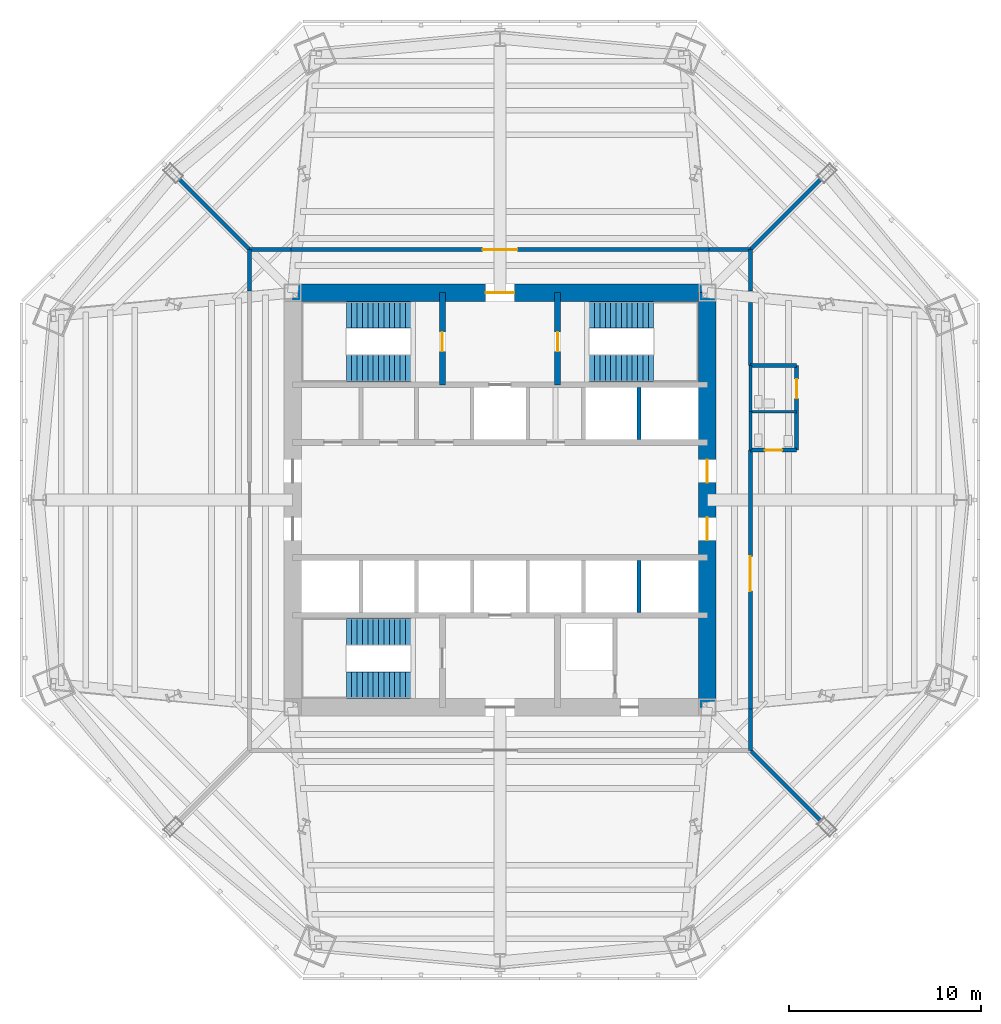
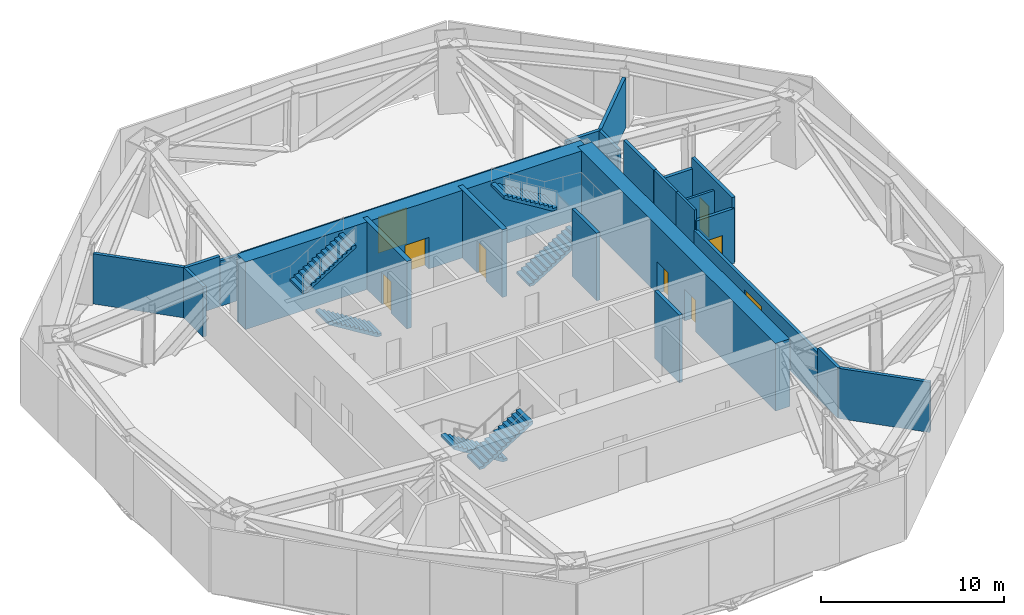
# One storey, part 6 of 10: 23 walls, 9 doors, 6 stair flights, 9 openings, 3 elements without a shape of their own.
"""IFC4 building model written with IfcOpenShell, lengths in metres."""

from ifc_helpers import new_model, si_unit, direction, frame, frame_2d, origin, place, context, subcontext, project, spatial, polyline, rectangle, outline, extrude, material, layer, layer_set, type_object, element, fill, aggregate, save


model = new_model("IFC4")

# Units and contexts
model_context = context("Model", 3, precision=1e-05, world=origin(), true_north=direction((0.0, 1.0)))
body_context = subcontext(model_context, "Body", "Model", "MODEL_VIEW")
ifc_project = project(units=[si_unit("LENGTHUNIT", "METRE"), si_unit("AREAUNIT", "SQUARE_METRE"), si_unit("VOLUMEUNIT", "CUBIC_METRE"), si_unit("PLANEANGLEUNIT", "RADIAN"), si_unit("MASSUNIT", "GRAM", prefix="KILO")], contexts=[model_context])

# Site, building, storey
site_placement = place(None, origin())
site = spatial("IfcSite", under=ifc_project, at=site_placement, CompositionType="ELEMENT")
building_placement = place(site_placement, origin())
building = spatial("IfcBuilding", under=site, at=building_placement, Name="Mashrafa Tower", CompositionType="ELEMENT")
storey_placement = place(building_placement, frame((0.0, 0.0, 108.89990234375)))
storey = spatial("IfcBuildingStorey", under=building, at=storey_placement, Name="L24", CompositionType="ELEMENT", Elevation=108.89990234375)

# Wall
ifc_material_1 = material(Name="Concrete masonry unit", Category="masonry")
ifc_layer_1 = layer(ifc_material_1, 0.199951171875)
ifc_layer_set_1 = layer_set([ifc_layer_1], Name="Blockwork wall 200 2 hr")
wall_type_1 = type_object("IfcWallType", Name="Blockwork wall 200 2 hr", PredefinedType="PARTITIONING", material=ifc_layer_set_1)
wall_1_placement = place(storey_placement, frame((13.050048828125, -13.050048828125, 0.0), z_axis=(0.0, 0.0, 1.0), x_axis=(0.0, 1.0, 0.0)))
element("IfcWall", 1, at=wall_1_placement, inside=storey, type_object=wall_type_1, Name="Blockwork wall L24-003", PredefinedType="PARTITIONING", context=body_context, shape_type="SweptSolid", body=[
    extrude(rectangle(XDim=2.15283203125, YDim=0.199951171875, at=frame_2d((1.076416015625, 0.0))), origin(), (0.0, 0.0, 1.0), 3.342041015625),
])

# Wall, opening, door
wall_2_placement = place(storey_placement, frame((13.050048828125, -10.895263671875, 0.0), z_axis=(0.0, 0.0, 1.0), x_axis=(0.0, 1.0, 0.0)))
wall_2 = element("IfcWall", 2, at=wall_2_placement, inside=storey, type_object=wall_type_1, Name="Blockwork wall L24-004", PredefinedType="PARTITIONING", context=body_context, shape_type="SweptSolid", body=[
    extrude(rectangle(XDim=13.496337890625, YDim=0.199951171875, at=frame_2d((6.748046875, 0.0))), origin(), (0.0, 0.0, 1.0), 3.025146484375),
])
opening_1_placement = place(wall_2_placement, frame((6.1533203125, 0.0, 0.0)))
opening_1 = element("IfcOpeningElement", 3, at=opening_1_placement, cuts=wall_2, Name="Opening 24.003", PredefinedType="OPENING", context=body_context, shape_type="SweptSolid", body=[
    extrude(rectangle(XDim=1.800048828125, YDim=2.39990234375, at=frame_2d((0.89990234375, 1.199951171875))), frame((0.0, 0.10986328125, 0.0), z_axis=(0.0, -1.0, 0.0), x_axis=(1.0, 0.0, 0.0)), (0.0, 0.0, 1.0), 0.219970703125),
])
ifc_material_2 = material(Name="Steel door", Category="steel")
door_type_1 = type_object("IfcDoorType", Name="Door pair 1800 x 2400 90 min", OperationType="DOUBLE_DOOR_SINGLE_SWING", PredefinedType="DOOR", material=ifc_material_2)
door_1_placement = place(opening_1_placement, origin())
door_1 = element("IfcDoor", 4, at=door_1_placement, inside=storey, type_object=door_type_1, Name="Refuge Area L24 East door", OperationType="DOUBLE_DOOR_SINGLE_SWING", OverallHeight=2.39990234375, OverallWidth=1.800048828125, PredefinedType="DOOR", context=body_context, shape_type="SweptSolid", body=[
    extrude(rectangle(XDim=1.800048828125, YDim=2.39990234375, at=frame_2d((0.89990234375, 1.199951171875))), frame((0.0, 0.02490234375, 0.0), z_axis=(0.0, -1.0, 0.0), x_axis=(1.0, 0.0, 0.0)), (0.0, 0.0, 1.0), 0.050048828125),
])
fill(opening_1, door_1)

# Walls
wall_3_placement = place(storey_placement, frame((13.050048828125, 6.9990234375, 0.0), z_axis=(0.0, 0.0, 1.0), x_axis=(0.0, 1.0, 0.0)))
element("IfcWall", 5, at=wall_3_placement, inside=storey, type_object=wall_type_1, Name="Blockwork wall L24-005", PredefinedType="PARTITIONING", context=body_context, shape_type="SweptSolid", body=[
    extrude(rectangle(XDim=3.28564453125, YDim=0.199951171875, at=frame_2d((1.642822265625, 0.0))), origin(), (0.0, 0.0, 1.0), 4.335205078125),
])
for number, where, z_axis, x_axis, name in (
    (6, (13.050048828125, 10.897216796875, 0.0), (0.0, 0.0, 1.0), (0.0, 1.0, 0.0), "Blockwork wall L24-006"),
    (7, (-13.050048828125, 13.050048828125, 0.0), (0.0, 0.0, 1.0), (0.0, -1.0, 0.0), "Blockwork wall L24-007"),
    (8, (13.050048828125, 13.050048828125, 0.0), (0.0, 0.0, 1.0), (-1.0, 0.0, 0.0), "Blockwork wall L24-010"),
):
    element("IfcWall", number, at=place(storey_placement, frame(where, z_axis=z_axis, x_axis=x_axis)), inside=storey, type_object=wall_type_1, Name=name, PredefinedType="PARTITIONING", context=body_context, shape_type="SweptSolid", body=[
        extrude(rectangle(XDim=2.15283203125, YDim=0.199951171875, at=frame_2d((1.076416015625, 0.0))), origin(), (0.0, 0.0, 1.0), 3.342041015625),
    ])

# Wall, opening, door
wall_4_placement = place(storey_placement, frame((10.895263671875, 13.050048828125, 0.0), z_axis=(0.0, 0.0, 1.0), x_axis=(-1.0, 0.0, 0.0)))
wall_4 = element("IfcWall", 9, at=wall_4_placement, inside=storey, type_object=wall_type_1, Name="Blockwork wall L24-011", PredefinedType="PARTITIONING", context=body_context, shape_type="SweptSolid", body=[
    extrude(rectangle(XDim=21.79052734375, YDim=0.199951171875, at=frame_2d((10.895263671875, 0.0))), origin(), (0.0, 0.0, 1.0), 3.025146484375),
])
opening_2_placement = place(wall_4_placement, frame((9.995361328125, 0.0, 0.0)))
opening_2 = element("IfcOpeningElement", 10, at=opening_2_placement, cuts=wall_4, Name="Opening 24.005", PredefinedType="OPENING", context=body_context, shape_type="SweptSolid", body=[
    extrude(rectangle(XDim=1.800048828125, YDim=2.39990234375, at=frame_2d((0.89990234375, 1.199951171875))), frame((0.0, 0.10986328125, 0.0), z_axis=(0.0, -1.0, 0.0), x_axis=(1.0, 0.0, 0.0)), (0.0, 0.0, 1.0), 0.219970703125),
])
door_2_placement = place(opening_2_placement, frame((1.800048828125, 0.0, 0.0), z_axis=(0.0, 0.0, 1.0), x_axis=(-1.0, 0.0, 0.0)))
door_2 = element("IfcDoor", 11, at=door_2_placement, inside=storey, type_object=door_type_1, Name="Electrical Plant Room L24 door", OperationType="DOUBLE_DOOR_SINGLE_SWING", OverallHeight=2.39990234375, OverallWidth=1.800048828125, PredefinedType="DOOR", context=body_context, shape_type="SweptSolid", body=[
    extrude(rectangle(XDim=1.800048828125, YDim=2.39990234375, at=frame_2d((0.89990234375, 1.199951171875))), frame((0.0, 0.02490234375, 0.0), z_axis=(0.0, -1.0, 0.0), x_axis=(1.0, 0.0, 0.0)), (0.0, 0.0, 1.0), 0.050048828125),
])
fill(opening_2, door_2)

# Wall
wall_5_placement = place(storey_placement, frame((-10.897216796875, 13.050048828125, 0.0), z_axis=(0.0, 0.0, 1.0), x_axis=(-1.0, 0.0, 0.0)))
element("IfcWall", 12, at=wall_5_placement, inside=storey, type_object=wall_type_1, Name="Blockwork wall L24-012", PredefinedType="PARTITIONING", context=body_context, shape_type="SweptSolid", body=[
    extrude(rectangle(XDim=2.15283203125, YDim=0.199951171875, at=frame_2d((1.076416015625, 0.0))), origin(), (0.0, 0.0, 1.0), 3.342041015625),
])

# Wall, opening, door
wall_6_placement = place(storey_placement, frame((13.050048828125, 2.60009765625, 0.0), z_axis=(0.0, 0.0, 1.0), x_axis=(1.0, 0.0, 0.0)))
wall_6 = element("IfcWall", 13, at=wall_6_placement, inside=storey, type_object=wall_type_1, Name="Blockwork wall L24-017", PredefinedType="PARTITIONING", context=body_context, shape_type="SweptSolid", body=[
    extrude(rectangle(XDim=2.39990234375, YDim=0.199951171875, at=frame_2d((1.199951171875, 0.0))), origin(), (0.0, 0.0, 1.0), 3.641845703125),
])
opening_3_placement = place(wall_6_placement, frame((0.75, 0.0, 0.0)))
opening_3 = element("IfcOpeningElement", 14, at=opening_3_placement, cuts=wall_6, Name="Opening 24.001", PredefinedType="OPENING", context=body_context, shape_type="SweptSolid", body=[
    extrude(rectangle(XDim=0.89990234375, YDim=2.10009765625, at=frame_2d((0.449951171875, 1.050048828125))), frame((0.0, 0.10986328125, 0.0), z_axis=(0.0, -1.0, 0.0), x_axis=(1.0, 0.0, 0.0)), (0.0, 0.0, 1.0), 0.219970703125),
])
ifc_material_3 = material(Name="Timber door", Category="wood")
door_type_2 = type_object("IfcDoorType", Name="Toilet door 900 x 2100", OperationType="USERDEFINED", PredefinedType="DOOR", material=ifc_material_3)
door_3_placement = place(opening_3_placement, origin())
door_3 = element("IfcDoor", 15, at=door_3_placement, inside=storey, type_object=door_type_2, Name="Refuge WC L24 door", OperationType="SINGLE_SWING_RIGHT", OverallHeight=2.10009765625, OverallWidth=0.89990234375, PredefinedType="DOOR", context=body_context, shape_type="SweptSolid", body=[
    extrude(rectangle(XDim=0.89990234375, YDim=2.10009765625, at=frame_2d((0.449951171875, 1.050048828125))), frame((0.0, 0.02490234375, 0.0), z_axis=(0.0, -1.0, 0.0), x_axis=(1.0, 0.0, 0.0)), (0.0, 0.0, 1.0), 0.050048828125),
])
fill(opening_3, door_3)

wall_7_placement = place(storey_placement, frame((15.449951171875, 2.60009765625, 0.0), z_axis=(0.0, 0.0, 1.0), x_axis=(0.0, 1.0, 0.0)))
wall_7 = element("IfcWall", 16, at=wall_7_placement, inside=storey, type_object=wall_type_1, Name="Blockwork wall L24-018", PredefinedType="PARTITIONING", context=body_context, shape_type="SweptSolid", body=[
    extrude(rectangle(XDim=4.39990234375, YDim=0.199951171875, at=frame_2d((2.199951171875, 0.0))), origin(), (0.0, 0.0, 1.0), 4.335205078125),
])
opening_4_placement = place(wall_7_placement, frame((2.699951171875, 0.0, 0.0)))
opening_4 = element("IfcOpeningElement", 17, at=opening_4_placement, cuts=wall_7, Name="Opening 24.002", PredefinedType="OPENING", context=body_context, shape_type="SweptSolid", body=[
    extrude(rectangle(XDim=1.0, YDim=2.10009765625, at=frame_2d((0.5, 1.050048828125))), frame((0.0, 0.10986328125, 0.0), z_axis=(0.0, -1.0, 0.0), x_axis=(1.0, 0.0, 0.0)), (0.0, 0.0, 1.0), 0.219970703125),
])
ifc_material_4 = material(Name="Timber door", Category="wood")
door_type_3 = type_object("IfcDoorType", Name="Accessible toilet door 1000 x 2100", OperationType="USERDEFINED", PredefinedType="DOOR", material=ifc_material_4)
door_4_placement = place(opening_4_placement, origin())
door_4 = element("IfcDoor", 18, at=door_4_placement, inside=storey, type_object=door_type_3, Name="Refuge Accessible WC L24 door", OperationType="SINGLE_SWING_LEFT", OverallHeight=2.10009765625, OverallWidth=1.0, PredefinedType="DOOR", context=body_context, shape_type="SweptSolid", body=[
    extrude(rectangle(XDim=1.0, YDim=2.10009765625, at=frame_2d((0.5, 1.050048828125))), frame((0.0, 0.02490234375, 0.0), z_axis=(0.0, -1.0, 0.0), x_axis=(1.0, 0.0, 0.0)), (0.0, 0.0, 1.0), 0.050048828125),
])
fill(opening_4, door_4)

# Walls
wall_8_placement = place(storey_placement, frame((15.449951171875, 7.0, 0.0), z_axis=(0.0, 0.0, 1.0), x_axis=(-1.0, 0.0, 0.0)))
element("IfcWall", 19, at=wall_8_placement, inside=storey, type_object=wall_type_1, Name="Blockwork wall L24-020", PredefinedType="PARTITIONING", context=body_context, shape_type="SweptSolid", body=[
    extrude(rectangle(XDim=2.39990234375, YDim=0.199951171875, at=frame_2d((1.199951171875, 0.0))), origin(), (0.0, 0.0, 1.0), 3.641845703125),
])
for number, where, z_axis, x_axis, name in (
    (20, (16.69140625, 16.69140625, 0.0), (0.0, 0.0, 1.0), (-0.707106781187, -0.707106781187, 0.0), "Blockwork wall L24-021"),
    (21, (13.050048828125, -13.050048828125, 0.0), (0.0, 0.0, 1.0), (0.707106781187, -0.707106781187, 0.0), "Blockwork wall L24-022"),
    (22, (-13.050048828125, 13.050048828125, 0.0), (0.0, 0.0, 1.0), (-0.707106781187, 0.707106781187, 0.0), "Blockwork wall L24-023"),
):
    element("IfcWall", number, at=place(storey_placement, frame(where, z_axis=z_axis, x_axis=x_axis)), inside=storey, type_object=wall_type_1, Name=name, PredefinedType="PARTITIONING", context=body_context, shape_type="SweptSolid", body=[
        extrude(rectangle(XDim=5.149658203125, YDim=0.199951171875, at=frame_2d((2.57470703125, 0.0))), origin(), (0.0, 0.0, 1.0), 3.342041015625),
    ])

# Wall, opening, door
ifc_material_5 = material(Name="Concrete C60/75", Category="concrete")
ifc_layer_2 = layer(ifc_material_5, 0.300048828125)
ifc_layer_set_2 = layer_set([ifc_layer_2], Name="Core wall 300 C60/75")
wall_type_2 = type_object("IfcWallType", Name="Core wall 300 C60/75", PredefinedType="SOLIDWALL", material=ifc_layer_set_2)
wall_9_placement = place(storey_placement, frame((-3.0, 6.0, 0.0), z_axis=(0.0, 0.0, 1.0), x_axis=(0.0, 1.0, 0.0)))
wall_9 = element("IfcWall", 23, at=wall_9_placement, inside=storey, type_object=wall_type_2, Name="Core wall CX-NW L24", PredefinedType="SOLIDWALL", context=body_context, shape_type="SweptSolid", body=[
    extrude(rectangle(XDim=4.800048828125, YDim=0.300048828125, at=frame_2d((2.39990234375, 0.0))), origin(), (0.0, 0.0, 1.0), 4.5),
])
opening_5_placement = place(wall_9_placement, frame((1.75, 0.0, 0.0)))
opening_5 = element("IfcOpeningElement", 24, at=opening_5_placement, cuts=wall_9, Name="Opening 24.013", PredefinedType="OPENING", context=body_context, shape_type="SweptSolid", body=[
    extrude(rectangle(XDim=1.0, YDim=2.10009765625, at=frame_2d((0.5, 1.050048828125))), frame((0.0, 0.159912109375, 0.0), z_axis=(0.0, -1.0, 0.0), x_axis=(1.0, 0.0, 0.0)), (0.0, 0.0, 1.0), 0.320068359375),
])
ifc_material_6 = material(Name="Steel door", Category="steel")
door_type_4 = type_object("IfcDoorType", Name="Stair door 1000 x 2100 90 min", OperationType="USERDEFINED", PredefinedType="DOOR", material=ifc_material_6)
door_5_placement = place(opening_5_placement, origin())
door_5 = element("IfcDoor", 25, at=door_5_placement, inside=storey, type_object=door_type_4, Name="Stair S1 door L24", OperationType="SINGLE_SWING_LEFT", OverallHeight=2.10009765625, OverallWidth=1.0, PredefinedType="DOOR", context=body_context, shape_type="SweptSolid", body=[
    extrude(rectangle(XDim=1.0, YDim=2.10009765625, at=frame_2d((0.5, 1.050048828125))), frame((0.0, 0.02490234375, 0.0), z_axis=(0.0, -1.0, 0.0), x_axis=(1.0, 0.0, 0.0)), (0.0, 0.0, 1.0), 0.050048828125),
])
fill(opening_5, door_5)

wall_10_placement = place(storey_placement, frame((3.0, 6.0, 0.0), z_axis=(0.0, 0.0, 1.0), x_axis=(0.0, 1.0, 0.0)))
wall_10 = element("IfcWall", 26, at=wall_10_placement, inside=storey, type_object=wall_type_2, Name="Core wall CX-NE L24", PredefinedType="SOLIDWALL", context=body_context, shape_type="SweptSolid", body=[
    extrude(rectangle(XDim=4.800048828125, YDim=0.300048828125, at=frame_2d((2.39990234375, 0.0))), origin(), (0.0, 0.0, 1.0), 4.5),
])
opening_6_placement = place(wall_10_placement, frame((1.75, 0.0, 0.0)))
opening_6 = element("IfcOpeningElement", 27, at=opening_6_placement, cuts=wall_10, Name="Opening 24.014", PredefinedType="OPENING", context=body_context, shape_type="SweptSolid", body=[
    extrude(rectangle(XDim=1.0, YDim=2.10009765625, at=frame_2d((0.5, 1.050048828125))), frame((0.0, 0.159912109375, 0.0), z_axis=(0.0, -1.0, 0.0), x_axis=(1.0, 0.0, 0.0)), (0.0, 0.0, 1.0), 0.320068359375),
])
door_6_placement = place(opening_6_placement, frame((1.0, 0.0, 0.0), z_axis=(0.0, 0.0, 1.0), x_axis=(-1.0, 0.0, 0.0)))
door_6 = element("IfcDoor", 28, at=door_6_placement, inside=storey, type_object=door_type_4, Name="Stair S2 door L24", OperationType="SINGLE_SWING_RIGHT", OverallHeight=2.10009765625, OverallWidth=1.0, PredefinedType="DOOR", context=body_context, shape_type="SweptSolid", body=[
    extrude(rectangle(XDim=1.0, YDim=2.10009765625, at=frame_2d((0.5, 1.050048828125))), frame((0.0, 0.02490234375, 0.0), z_axis=(0.0, -1.0, 0.0), x_axis=(1.0, 0.0, 0.0)), (0.0, 0.0, 1.0), 0.050048828125),
])
fill(opening_6, door_6)

# Wall, openings, doors
ifc_material_7 = material(Name="Concrete C60/75", Category="concrete")
ifc_layer_3 = layer(ifc_material_7, 0.89990234375)
ifc_layer_set_3 = layer_set([ifc_layer_3], Name="Core wall 900 C60/75")
wall_type_3 = type_object("IfcWallType", Name="Core wall 900 C60/75", PredefinedType="SOLIDWALL", material=ifc_layer_set_3)
wall_11_placement = place(storey_placement, frame((10.800048828125, -10.800048828125, 0.0), z_axis=(0.0, 0.0, 1.0), x_axis=(0.0, 1.0, 0.0)))
wall_11 = element("IfcWall", 29, at=wall_11_placement, inside=storey, type_object=wall_type_3, Name="Core wall CW-E L24", PredefinedType="SOLIDWALL", context=body_context, shape_type="SweptSolid", body=[
    extrude(rectangle(XDim=21.60009765625, YDim=0.89990234375, at=frame_2d((10.800048828125, 0.0))), origin(), (0.0, 0.0, 1.0), 4.5),
])
opening_7_placement = place(wall_11_placement, frame((11.699951171875, 0.0, 0.0)))
opening_7 = element("IfcOpeningElement", 30, at=opening_7_placement, cuts=wall_11, Name="Opening 24.007", PredefinedType="OPENING", context=body_context, shape_type="SweptSolid", body=[
    extrude(rectangle(XDim=1.199951171875, YDim=2.10009765625, at=frame_2d((0.60009765625, 1.050048828125))), frame((0.0, 0.4599609375, 0.0), z_axis=(0.0, -1.0, 0.0), x_axis=(1.0, 0.0, 0.0)), (0.0, 0.0, 1.0), 0.919921875),
])
opening_8_placement = place(wall_11_placement, frame((8.699951171875, 0.0, 0.0)))
opening_8 = element("IfcOpeningElement", 31, at=opening_8_placement, cuts=wall_11, Name="Opening 24.009", PredefinedType="OPENING", context=body_context, shape_type="SweptSolid", body=[
    extrude(rectangle(XDim=1.199951171875, YDim=2.10009765625, at=frame_2d((0.60009765625, 1.050048828125))), frame((0.0, 0.4599609375, 0.0), z_axis=(0.0, -1.0, 0.0), x_axis=(1.0, 0.0, 0.0)), (0.0, 0.0, 1.0), 0.919921875),
])
ifc_material_8 = material(Name="Steel door", Category="steel")
door_type_5 = type_object("IfcDoorType", Name="Lift hall door 1200 x 2100 90 min", OperationType="USERDEFINED", PredefinedType="DOOR", material=ifc_material_8)
door_7_placement = place(opening_7_placement, frame((1.199951171875, 0.0, 0.0), z_axis=(0.0, 0.0, 1.0), x_axis=(-1.0, 0.0, 0.0)))
door_7 = element("IfcDoor", 32, at=door_7_placement, inside=storey, type_object=door_type_5, Name="Lift hall door east L24", OperationType="SINGLE_SWING_LEFT", OverallHeight=2.10009765625, OverallWidth=1.199951171875, PredefinedType="DOOR", context=body_context, shape_type="SweptSolid", body=[
    extrude(rectangle(XDim=1.199951171875, YDim=2.10009765625, at=frame_2d((0.60009765625, 1.050048828125))), frame((0.0, 0.02490234375, 0.0), z_axis=(0.0, -1.0, 0.0), x_axis=(1.0, 0.0, 0.0)), (0.0, 0.0, 1.0), 0.050048828125),
])
fill(opening_7, door_7)
door_8_placement = place(opening_8_placement, frame((1.199951171875, 0.0, 0.0), z_axis=(0.0, 0.0, 1.0), x_axis=(-1.0, 0.0, 0.0)))
door_8 = element("IfcDoor", 33, at=door_8_placement, inside=storey, type_object=door_type_5, Name="Lift hall door east L24", OperationType="SINGLE_SWING_RIGHT", OverallHeight=2.10009765625, OverallWidth=1.199951171875, PredefinedType="DOOR", context=body_context, shape_type="SweptSolid", body=[
    extrude(rectangle(XDim=1.199951171875, YDim=2.10009765625, at=frame_2d((0.60009765625, 1.050048828125))), frame((0.0, 0.02490234375, 0.0), z_axis=(0.0, -1.0, 0.0), x_axis=(1.0, 0.0, 0.0)), (0.0, 0.0, 1.0), 0.050048828125),
])
fill(opening_8, door_8)

# Wall, opening, door
wall_12_placement = place(storey_placement, frame((10.800048828125, 10.800048828125, 0.0), z_axis=(0.0, 0.0, 1.0), x_axis=(-1.0, 0.0, 0.0)))
wall_12 = element("IfcWall", 34, at=wall_12_placement, inside=storey, type_object=wall_type_3, Name="Core wall CW-N L24", PredefinedType="SOLIDWALL", context=body_context, shape_type="SweptSolid", body=[
    extrude(rectangle(XDim=21.60009765625, YDim=0.89990234375, at=frame_2d((10.800048828125, 0.0))), origin(), (0.0, 0.0, 1.0), 4.5),
])
opening_9_placement = place(wall_12_placement, frame((10.050048828125, 0.0, 0.0)))
opening_9 = element("IfcOpeningElement", 35, at=opening_9_placement, cuts=wall_12, Name="Opening 24.011", PredefinedType="OPENING", context=body_context, shape_type="SweptSolid", body=[
    extrude(rectangle(XDim=1.5, YDim=2.10009765625, at=frame_2d((0.75, 1.050048828125))), frame((0.0, 0.4599609375, 0.0), z_axis=(0.0, -1.0, 0.0), x_axis=(1.0, 0.0, 0.0)), (0.0, 0.0, 1.0), 0.919921875),
])
ifc_material_9 = material(Name="Steel door", Category="steel")
door_type_6 = type_object("IfcDoorType", Name="Lobby door pair 1500 x 2100 90 min", OperationType="DOUBLE_DOOR_SINGLE_SWING", PredefinedType="DOOR", material=ifc_material_9)
door_9_placement = place(opening_9_placement, origin())
door_9 = element("IfcDoor", 36, at=door_9_placement, inside=storey, type_object=door_type_6, Name="Fire-fighting lobby F1 door L24", OperationType="DOUBLE_DOOR_SINGLE_SWING", OverallHeight=2.10009765625, OverallWidth=1.5, PredefinedType="DOOR", context=body_context, shape_type="SweptSolid", body=[
    extrude(rectangle(XDim=1.5, YDim=2.10009765625, at=frame_2d((0.75, 1.050048828125))), frame((0.0, 0.02490234375, 0.0), z_axis=(0.0, -1.0, 0.0), x_axis=(1.0, 0.0, 0.0)), (0.0, 0.0, 1.0), 0.050048828125),
])
fill(opening_9, door_9)

# Walls
ifc_material_10 = material(Name="Gypsum board on steel studs", Category="steel")
ifc_layer_4 = layer(ifc_material_10, 0.14990234375)
ifc_layer_set_4 = layer_set([ifc_layer_4], Name="Corridor partition 150 1 hr")
wall_type_4 = type_object("IfcWallType", Name="Corridor partition 150 1 hr", PredefinedType="PARTITIONING", material=ifc_layer_set_4)
wall_13_placement = place(storey_placement, frame((13.050048828125, 2.59912109375, 0.0), z_axis=(0.0, 0.0, 1.0), x_axis=(0.0, 1.0, 0.0)))
element("IfcWall", 37, at=wall_13_placement, inside=storey, type_object=wall_type_4, Name="Corridor wall L24-001", PredefinedType="PARTITIONING", context=body_context, shape_type="SweptSolid", body=[
    extrude(rectangle(XDim=2.001953125, YDim=0.14990234375, at=frame_2d((1.0009765625, 0.0))), origin(), (0.0, 0.0, 1.0), 4.335205078125),
])
wall_14_placement = place(storey_placement, frame((13.050048828125, 4.59912109375, 0.0), z_axis=(0.0, 0.0, 1.0), x_axis=(0.0, 1.0, 0.0)))
element("IfcWall", 38, at=wall_14_placement, inside=storey, type_object=wall_type_4, Name="Corridor wall L24-002", PredefinedType="PARTITIONING", context=body_context, shape_type="SweptSolid", body=[
    extrude(rectangle(XDim=2.40185546875, YDim=0.14990234375, at=frame_2d((1.200927734375, 0.0))), origin(), (0.0, 0.0, 1.0), 4.335205078125),
])
ifc_material_11 = material(Name="Gypsum board on steel studs", Category="steel")
ifc_layer_5 = layer(ifc_material_11, 0.14990234375)
ifc_layer_set_5 = layer_set([ifc_layer_5], Name="Partition 150")
wall_type_5 = type_object("IfcWallType", Name="Partition 150", PredefinedType="PARTITIONING", material=ifc_layer_set_5)
wall_15_placement = place(storey_placement, frame((15.449951171875, 4.60009765625, 0.0), z_axis=(0.0, 0.0, 1.0), x_axis=(-1.0, 0.0, 0.0)))
element("IfcWall", 39, at=wall_15_placement, inside=storey, type_object=wall_type_5, Name="Partition wall L24-016", PredefinedType="PARTITIONING", context=body_context, shape_type="SweptSolid", body=[
    extrude(rectangle(XDim=2.39990234375, YDim=0.14990234375, at=frame_2d((1.199951171875, 0.0))), origin(), (0.0, 0.0, 1.0), 3.641845703125),
])
ifc_material_12 = material(Name="Gypsum shaft wall on steel studs", Category="steel")
ifc_layer_6 = layer(ifc_material_12, 0.199951171875)
ifc_layer_set_6 = layer_set([ifc_layer_6], Name="Shaft divider wall 200 2 hr")
wall_type_6 = type_object("IfcWallType", Name="Shaft divider wall 200 2 hr", PredefinedType="PARTITIONING", material=ifc_layer_set_6)
for number, where, z_axis, x_axis, name in (
    (40, (7.25, 3.14990234375, 0.0), (0.0, 0.0, 1.0), (0.0, 1.0, 0.0), "Shaft divider wall N6 L24"),
    (41, (7.25, -5.85009765625, 0.0), (0.0, 0.0, 1.0), (0.0, 1.0, 0.0), "Shaft divider wall S6 L24"),
):
    element("IfcWall", number, at=place(storey_placement, frame(where, z_axis=z_axis, x_axis=x_axis)), inside=storey, type_object=wall_type_6, Name=name, PredefinedType="PARTITIONING", context=body_context, shape_type="SweptSolid", body=[
        extrude(rectangle(XDim=2.7001953125, YDim=0.199951171875, at=frame_2d((1.35009765625, 0.0))), origin(), (0.0, 0.0, 1.0), 4.5),
    ])

# Stair, stair flights
ifc_material_13 = material(Name="Exit stair 1400")
stair_type = type_object("IfcStairType", Name="Exit stair 1400", PredefinedType="HALF_TURN_STAIR", material=ifc_material_13)
stair_1_placement = place(storey_placement, origin())
stair_1 = element("IfcStair", 42, at=stair_1_placement, inside=storey, type_object=stair_type, Name="Stair S1 L24", PredefinedType="HALF_TURN_STAIR")
ifc_material_14 = material(Name="Concrete C32/40", Category="concrete")
stair_flight_type = type_object("IfcStairFlightType", Name="Stair flight 1400", PredefinedType="STRAIGHT", material=ifc_material_14)
stair_flight_1_placement = place(storey_placement, frame((-4.64990234375, 6.85009765625, 0.0), z_axis=(0.0, 0.0, 1.0), x_axis=(-1.0, 0.0, 0.0)))
stair_flight_1 = element("IfcStairFlight", 43, at=stair_flight_1_placement, type_object=stair_flight_type, Name="S1 flight 1", NumberOfRisers=13, NumberOfTreads=12, PredefinedType="STRAIGHT", RiserHeight=0.173076923, TreadLength=0.28, context=body_context, shape_type="SweptSolid", body=[
    extrude(outline(polyline([(0.0, 0.0), (0.0, 0.173095703125), (0.280029296875, 0.173095703125), (0.280029296875, 0.34619140625), (0.56005859375, 0.34619140625), (0.56005859375, 0.519287109375), (0.840087890625, 0.519287109375), (0.840087890625, 0.6923828125), (1.1201171875, 0.6923828125), (1.1201171875, 0.865478515625), (1.39990234375, 0.865478515625), (1.39990234375, 1.03857421875), (1.679931640625, 1.03857421875), (1.679931640625, 1.21142578125), (1.9599609375, 1.21142578125), (1.9599609375, 1.384521484375), (2.239990234375, 1.384521484375), (2.239990234375, 1.5576171875), (2.52001953125, 1.5576171875), (2.52001953125, 1.730712890625), (2.800048828125, 1.730712890625), (2.800048828125, 1.90380859375), (3.080078125, 1.90380859375), (3.080078125, 2.076904296875), (3.360107421875, 2.076904296875), (3.360107421875, 2.25), (3.360107421875, 1.900634765625), (0.28515625, 0.0), (0.0, 0.0)])), frame((0.0, 0.699951171875, 0.0), z_axis=(0.0, -1.0, 0.0), x_axis=(1.0, 0.0, 0.0)), (0.0, 0.0, 1.0), 1.39990234375),
])
stair_flight_2_placement = place(storey_placement, frame((-8.010009765625, 9.64990234375, 2.25), z_axis=(0.0, 0.0, 1.0), x_axis=(1.0, 0.0, 0.0)))
stair_flight_2 = element("IfcStairFlight", 44, at=stair_flight_2_placement, type_object=stair_flight_type, Name="S1 flight 2", NumberOfRisers=13, NumberOfTreads=12, PredefinedType="STRAIGHT", RiserHeight=0.173076923, TreadLength=0.28, context=body_context, shape_type="SweptSolid", body=[
    extrude(outline(polyline([(0.0, 0.0), (0.0, 0.173095703125), (0.280029296875, 0.173095703125), (0.280029296875, 0.34619140625), (0.56005859375, 0.34619140625), (0.56005859375, 0.519287109375), (0.840087890625, 0.519287109375), (0.840087890625, 0.6923828125), (1.1201171875, 0.6923828125), (1.1201171875, 0.865478515625), (1.39990234375, 0.865478515625), (1.39990234375, 1.03857421875), (1.679931640625, 1.03857421875), (1.679931640625, 1.21142578125), (1.9599609375, 1.21142578125), (1.9599609375, 1.384521484375), (2.239990234375, 1.384521484375), (2.239990234375, 1.5576171875), (2.52001953125, 1.5576171875), (2.52001953125, 1.730712890625), (2.800048828125, 1.730712890625), (2.800048828125, 1.90380859375), (3.080078125, 1.90380859375), (3.080078125, 2.076904296875), (3.360107421875, 2.076904296875), (3.360107421875, 2.25), (3.360107421875, 1.900634765625), (0.28515625, 0.0), (0.0, 0.0)])), frame((0.0, 0.699951171875, 0.0), z_axis=(0.0, -1.0, 0.0), x_axis=(1.0, 0.0, 0.0)), (0.0, 0.0, 1.0), 1.39990234375),
])
aggregate(stair_1, [stair_flight_1, stair_flight_2])

stair_2_placement = place(storey_placement, origin())
stair_2 = element("IfcStair", 45, at=stair_2_placement, inside=storey, type_object=stair_type, Name="Stair S2 L24", PredefinedType="HALF_TURN_STAIR")
stair_flight_3_placement = place(storey_placement, frame((4.64990234375, 6.85009765625, 0.0), z_axis=(0.0, 0.0, 1.0), x_axis=(1.0, 0.0, 0.0)))
stair_flight_3 = element("IfcStairFlight", 46, at=stair_flight_3_placement, type_object=stair_flight_type, Name="S2 flight 1", NumberOfRisers=13, NumberOfTreads=12, PredefinedType="STRAIGHT", RiserHeight=0.173076923, TreadLength=0.28, context=body_context, shape_type="SweptSolid", body=[
    extrude(outline(polyline([(0.0, 0.0), (0.0, 0.173095703125), (0.280029296875, 0.173095703125), (0.280029296875, 0.34619140625), (0.56005859375, 0.34619140625), (0.56005859375, 0.519287109375), (0.840087890625, 0.519287109375), (0.840087890625, 0.6923828125), (1.1201171875, 0.6923828125), (1.1201171875, 0.865478515625), (1.39990234375, 0.865478515625), (1.39990234375, 1.03857421875), (1.679931640625, 1.03857421875), (1.679931640625, 1.21142578125), (1.9599609375, 1.21142578125), (1.9599609375, 1.384521484375), (2.239990234375, 1.384521484375), (2.239990234375, 1.5576171875), (2.52001953125, 1.5576171875), (2.52001953125, 1.730712890625), (2.800048828125, 1.730712890625), (2.800048828125, 1.90380859375), (3.080078125, 1.90380859375), (3.080078125, 2.076904296875), (3.360107421875, 2.076904296875), (3.360107421875, 2.25), (3.360107421875, 1.900634765625), (0.28515625, 0.0), (0.0, 0.0)])), frame((0.0, 0.699951171875, 0.0), z_axis=(0.0, -1.0, 0.0), x_axis=(1.0, 0.0, 0.0)), (0.0, 0.0, 1.0), 1.39990234375),
])
stair_flight_4_placement = place(storey_placement, frame((8.010009765625, 9.64990234375, 2.25), z_axis=(0.0, 0.0, 1.0), x_axis=(-1.0, 0.0, 0.0)))
stair_flight_4 = element("IfcStairFlight", 47, at=stair_flight_4_placement, type_object=stair_flight_type, Name="S2 flight 2", NumberOfRisers=13, NumberOfTreads=12, PredefinedType="STRAIGHT", RiserHeight=0.173076923, TreadLength=0.28, context=body_context, shape_type="SweptSolid", body=[
    extrude(outline(polyline([(0.0, 0.0), (0.0, 0.173095703125), (0.280029296875, 0.173095703125), (0.280029296875, 0.34619140625), (0.56005859375, 0.34619140625), (0.56005859375, 0.519287109375), (0.840087890625, 0.519287109375), (0.840087890625, 0.6923828125), (1.1201171875, 0.6923828125), (1.1201171875, 0.865478515625), (1.39990234375, 0.865478515625), (1.39990234375, 1.03857421875), (1.679931640625, 1.03857421875), (1.679931640625, 1.21142578125), (1.9599609375, 1.21142578125), (1.9599609375, 1.384521484375), (2.239990234375, 1.384521484375), (2.239990234375, 1.5576171875), (2.52001953125, 1.5576171875), (2.52001953125, 1.730712890625), (2.800048828125, 1.730712890625), (2.800048828125, 1.90380859375), (3.080078125, 1.90380859375), (3.080078125, 2.076904296875), (3.360107421875, 2.076904296875), (3.360107421875, 2.25), (3.360107421875, 1.900634765625), (0.28515625, 0.0), (0.0, 0.0)])), frame((0.0, 0.699951171875, 0.0), z_axis=(0.0, -1.0, 0.0), x_axis=(1.0, 0.0, 0.0)), (0.0, 0.0, 1.0), 1.39990234375),
])
aggregate(stair_2, [stair_flight_3, stair_flight_4])

stair_3_placement = place(storey_placement, origin())
stair_3 = element("IfcStair", 48, at=stair_3_placement, inside=storey, type_object=stair_type, Name="Stair S3 L24", PredefinedType="HALF_TURN_STAIR")
stair_flight_5_placement = place(storey_placement, frame((-4.64990234375, -6.85009765625, 0.0), z_axis=(0.0, 0.0, 1.0), x_axis=(-1.0, 0.0, 0.0)))
stair_flight_5 = element("IfcStairFlight", 49, at=stair_flight_5_placement, type_object=stair_flight_type, Name="S3 flight 1", NumberOfRisers=13, NumberOfTreads=12, PredefinedType="STRAIGHT", RiserHeight=0.173076923, TreadLength=0.28, context=body_context, shape_type="SweptSolid", body=[
    extrude(outline(polyline([(0.0, 0.0), (0.0, 0.173095703125), (0.280029296875, 0.173095703125), (0.280029296875, 0.34619140625), (0.56005859375, 0.34619140625), (0.56005859375, 0.519287109375), (0.840087890625, 0.519287109375), (0.840087890625, 0.6923828125), (1.1201171875, 0.6923828125), (1.1201171875, 0.865478515625), (1.39990234375, 0.865478515625), (1.39990234375, 1.03857421875), (1.679931640625, 1.03857421875), (1.679931640625, 1.21142578125), (1.9599609375, 1.21142578125), (1.9599609375, 1.384521484375), (2.239990234375, 1.384521484375), (2.239990234375, 1.5576171875), (2.52001953125, 1.5576171875), (2.52001953125, 1.730712890625), (2.800048828125, 1.730712890625), (2.800048828125, 1.90380859375), (3.080078125, 1.90380859375), (3.080078125, 2.076904296875), (3.360107421875, 2.076904296875), (3.360107421875, 2.25), (3.360107421875, 1.900634765625), (0.28515625, 0.0), (0.0, 0.0)])), frame((0.0, 0.699951171875, 0.0), z_axis=(0.0, -1.0, 0.0), x_axis=(1.0, 0.0, 0.0)), (0.0, 0.0, 1.0), 1.39990234375),
])
stair_flight_6_placement = place(storey_placement, frame((-8.010009765625, -9.64990234375, 2.25), z_axis=(0.0, 0.0, 1.0), x_axis=(1.0, 0.0, 0.0)))
stair_flight_6 = element("IfcStairFlight", 50, at=stair_flight_6_placement, type_object=stair_flight_type, Name="S3 flight 2", NumberOfRisers=13, NumberOfTreads=12, PredefinedType="STRAIGHT", RiserHeight=0.173076923, TreadLength=0.28, context=body_context, shape_type="SweptSolid", body=[
    extrude(outline(polyline([(0.0, 0.0), (0.0, 0.173095703125), (0.280029296875, 0.173095703125), (0.280029296875, 0.34619140625), (0.56005859375, 0.34619140625), (0.56005859375, 0.519287109375), (0.840087890625, 0.519287109375), (0.840087890625, 0.6923828125), (1.1201171875, 0.6923828125), (1.1201171875, 0.865478515625), (1.39990234375, 0.865478515625), (1.39990234375, 1.03857421875), (1.679931640625, 1.03857421875), (1.679931640625, 1.21142578125), (1.9599609375, 1.21142578125), (1.9599609375, 1.384521484375), (2.239990234375, 1.384521484375), (2.239990234375, 1.5576171875), (2.52001953125, 1.5576171875), (2.52001953125, 1.730712890625), (2.800048828125, 1.730712890625), (2.800048828125, 1.90380859375), (3.080078125, 1.90380859375), (3.080078125, 2.076904296875), (3.360107421875, 2.076904296875), (3.360107421875, 2.25), (3.360107421875, 1.900634765625), (0.28515625, 0.0), (0.0, 0.0)])), frame((0.0, 0.699951171875, 0.0), z_axis=(0.0, -1.0, 0.0), x_axis=(1.0, 0.0, 0.0)), (0.0, 0.0, 1.0), 1.39990234375),
])
aggregate(stair_3, [stair_flight_5, stair_flight_6])

save(model, "model.ifc")
